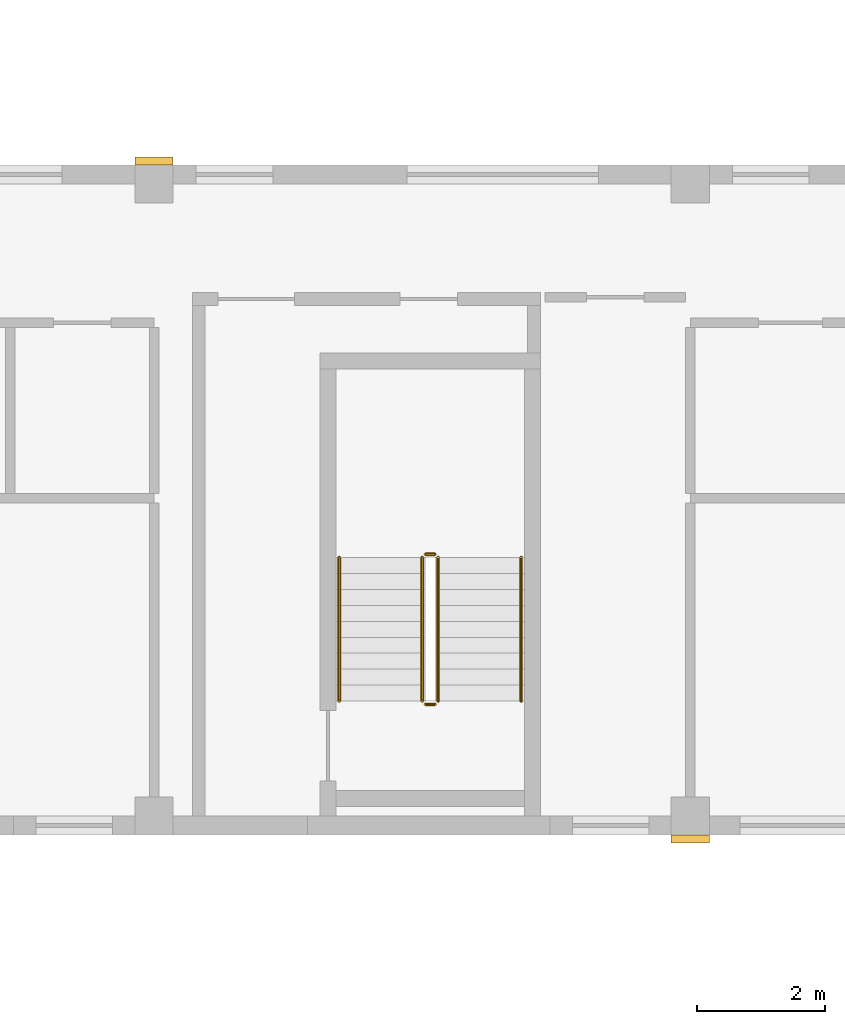
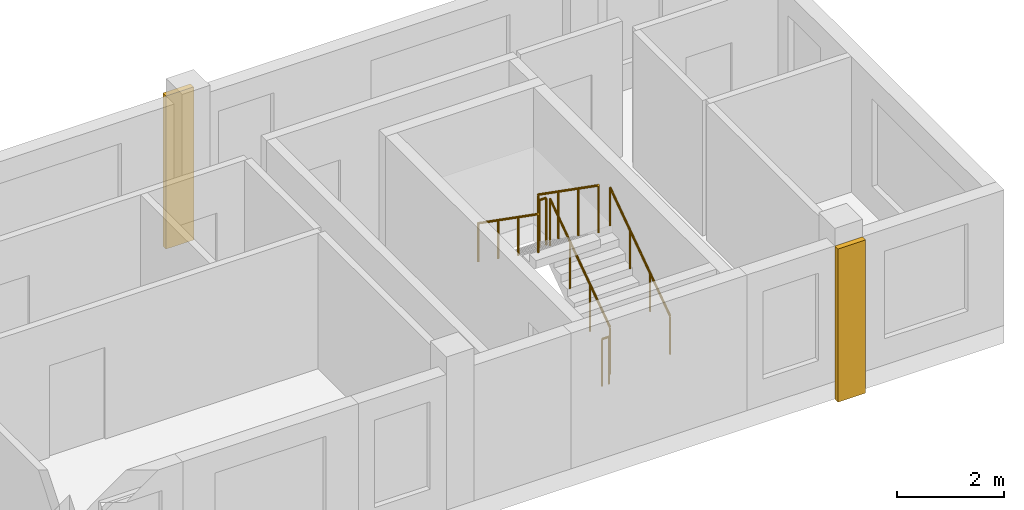
# One storey, part 9 of 10: 6 railings, 2 coverings.
"""IFC4 building model written with IfcOpenShell, lengths in metres."""

import ifcopenshell
import ifcopenshell.guid

model = None  # the IFC model being written
_history = None  # IfcOwnerHistory: only IFC2X3 demands one
_inside = {}  # id of a spatial element -> (the spatial element, [elements in it])
_under = {}  # id of a project, library or spatial element -> (it, [spatial elements below it])
_declared = {}  # id of a project -> (the project, [libraries it declares])
_typed = {}  # id of a type object -> (the type object, [elements of that type])
_made_of = {}  # id of a material, layer set ... -> (it, [elements and type objects made of it])


def new_model(schema):
    """Start an empty IFC model of exactly this schema.

    Asked for "IFC4X3", IfcOpenShell would pick the latest addendum, in which some entities
    have other attributes; the version numbers below select the first issue.
    IFC2X3 requires an IfcOwnerHistory on every rooted entity: one is made here for all.
    """
    global model, _history
    if schema == "IFC4X3":
        model = ifcopenshell.file(schema_version=(4, 3, 0, 0))
    else:
        model = ifcopenshell.file(schema=schema)
    _inside.clear()
    _under.clear()
    _declared.clear()
    _typed.clear()
    _made_of.clear()
    _history = None
    if model.schema == "IFC2X3":
        org = make("IfcOrganization", Name="unknown")
        user = make(
            "IfcPersonAndOrganization",
            ThePerson=make("IfcPerson", FamilyName="unknown"),
            TheOrganization=org,
        )
        app = make(
            "IfcApplication",
            ApplicationDeveloper=org,
            Version="unknown",
            ApplicationFullName="unknown",
            ApplicationIdentifier="unknown",
        )
        _history = make(
            "IfcOwnerHistory",
            OwningUser=user,
            OwningApplication=app,
            ChangeAction="ADDED",
            CreationDate=0,
        )
    return model


def make(cls, **values):
    """One entity of the class cls with the attributes given. An attribute that is None is left unset."""
    return model.create_entity(
        cls, **{name: value for name, value in values.items() if value is not None}
    )


def rooted(cls, **values):
    """An entity with a GlobalId (a new one), such as an element, a storey or a relation."""
    return make(cls, GlobalId=ifcopenshell.guid.new(), OwnerHistory=_history, **values)


def si_unit(unit_type, name, prefix=None):
    """IfcSIUnit, for example si_unit("LENGTHUNIT", "METRE", prefix="MILLI")."""
    return make("IfcSIUnit", UnitType=unit_type, Prefix=prefix, Name=name)


def assignment(units):
    """IfcUnitAssignment: the units of a project."""
    return None if units is None else make("IfcUnitAssignment", Units=units)


def point(xyz):
    """IfcCartesianPoint."""
    return None if xyz is None else make("IfcCartesianPoint", Coordinates=xyz)


def direction(xyz):
    """IfcDirection."""
    return None if xyz is None else make("IfcDirection", DirectionRatios=xyz)


def frame(location, z_axis=None, x_axis=None):
    """IfcAxis2Placement3D, a coordinate frame: its origin and axes. An axis left out is left unset."""
    return make(
        "IfcAxis2Placement3D",
        Location=point(location),
        Axis=direction(z_axis),
        RefDirection=direction(x_axis),
    )


def frame_2d(location, x_axis=None):
    """IfcAxis2Placement2D, a coordinate frame in the plane: its origin and x axis."""
    return make(
        "IfcAxis2Placement2D", Location=point(location), RefDirection=direction(x_axis)
    )


def origin():
    """The frame at (0, 0, 0) with its axes left unset."""
    return frame((0.0, 0.0, 0.0))


def origin_2d():
    """The frame at (0, 0) in the plane with its x axis left unset."""
    return frame_2d((0.0, 0.0))


def place(relative_to, where):
    """IfcLocalPlacement: puts the frame where relative to a parent placement (None: the world)."""
    return make(
        "IfcLocalPlacement", PlacementRelTo=relative_to, RelativePlacement=where
    )


def context(
    kind, dimensions, precision=None, world=None, true_north=None, identifier=None
):
    """IfcGeometricRepresentationContext, for example the 3D "Model" context."""
    return make(
        "IfcGeometricRepresentationContext",
        ContextIdentifier=identifier,
        ContextType=kind,
        CoordinateSpaceDimension=dimensions,
        Precision=precision,
        WorldCoordinateSystem=world,
        TrueNorth=true_north,
    )


def subcontext(parent, identifier, kind, view, scale=None):
    """IfcGeometricRepresentationSubContext, for example "Body" below "Model"."""
    return make(
        "IfcGeometricRepresentationSubContext",
        ContextIdentifier=identifier,
        ContextType=kind,
        ParentContext=parent,
        TargetScale=scale,
        TargetView=view,
    )


def project(units=None, contexts=None):
    """IfcProject with its units and contexts."""
    return rooted(
        "IfcProject",
        Name="project",
        RepresentationContexts=contexts,
        UnitsInContext=assignment(units),
    )


def spatial(cls, under=None, at=None, **own):
    """A site, building, storey or space (cls), placed at a placement, below another one or the project."""
    s = rooted(cls, ObjectPlacement=at, **own)
    if under is not None:
        _under.setdefault(under.id(), (under, []))[1].append(s)
    return s


def profile(cls, at=None, kind="AREA", **sizes):
    """A parametric profile (cls). Its sizes go by their IFC names, for example OverallWidth=200.0."""
    return make(cls, ProfileType=kind, Position=at, **sizes)


def rectangle(**sizes):
    """IfcRectangleProfileDef."""
    return profile("IfcRectangleProfileDef", **sizes)


def circle(**sizes):
    """IfcCircleProfileDef."""
    return profile("IfcCircleProfileDef", **sizes)


def extrude(swept, where, along, depth):
    """IfcExtrudedAreaSolid: the profile swept, set in the frame where, extruded along a direction by depth."""
    return make(
        "IfcExtrudedAreaSolid",
        SweptArea=swept,
        Position=where,
        ExtrudedDirection=direction(along),
        Depth=depth,
    )


def shape(context_of_items, identifier, shape_type, items):
    """IfcShapeRepresentation: the items that make up one representation, for example the "Body"."""
    return make(
        "IfcShapeRepresentation",
        ContextOfItems=context_of_items,
        RepresentationIdentifier=identifier,
        RepresentationType=shape_type,
        Items=items,
    )


def source(mapping_origin, context_of_items, identifier, shape_type, items):
    """IfcRepresentationMap: a shape defined once, which mapped items show again and again."""
    return make(
        "IfcRepresentationMap",
        MappingOrigin=mapping_origin,
        MappedRepresentation=shape(context_of_items, identifier, shape_type, items),
    )


def transform(
    local_origin,
    x_axis=None,
    y_axis=None,
    z_axis=None,
    scale=None,
    scale2=None,
    scale3=None,
    uniform=True,
):
    """IfcCartesianTransformationOperator3D, or its non-uniform kind. x_axis, y_axis, z_axis: its Axis1, 2, 3."""
    if uniform:
        return make(
            "IfcCartesianTransformationOperator3D",
            Axis1=direction(x_axis),
            Axis2=direction(y_axis),
            LocalOrigin=point(local_origin),
            Scale=scale,
            Axis3=direction(z_axis),
        )
    return make(
        "IfcCartesianTransformationOperator3DnonUniform",
        Axis1=direction(x_axis),
        Axis2=direction(y_axis),
        LocalOrigin=point(local_origin),
        Scale=scale,
        Axis3=direction(z_axis),
        Scale2=scale2,
        Scale3=scale3,
    )


def mapped(mapping_source, mapping_target):
    """IfcMappedItem: shows the shape of a source again, moved by a transform."""
    return make(
        "IfcMappedItem", MappingSource=mapping_source, MappingTarget=mapping_target
    )


def material(Name=None, Category=None):
    """IfcMaterial."""
    return make("IfcMaterial", Name=Name, Category=Category)


def made_of(thing, what):
    """Note that an element or type object is made of a material, layer set ...; save() writes the relation."""
    if what is not None:
        _made_of.setdefault(what.id(), (what, []))[1].append(thing)
    return thing


def type_object(cls, material=None, **own):
    """A type object (cls), such as IfcWallType, which elements share."""
    return made_of(rooted(cls, **own), material)


def element(
    cls,
    number,
    at=None,
    inside=None,
    cuts=None,
    type_object=None,
    material=None,
    context=None,
    identifier="Body",
    shape_type=None,
    held_by="IfcProductDefinitionShape",
    body=None,
    shapes=None,
    **own,
):
    """One element of the class cls, such as IfcWall. Its Tag is "e" and its number.

    at: its placement. inside: the storey or other place that contains it. cuts: it is an
    opening in that element (IfcRelVoidsElement). A single representation is given by context,
    identifier, shape_type and body (its items); several are given by shapes. held_by: the class
    of the entity that holds the representations. save() writes the other relations.
    """
    e = rooted(cls, Tag="e%d" % number, ObjectPlacement=at, **own)
    if body is not None:
        shapes = [shape(context, identifier, shape_type, body)]
    if shapes is not None:
        e.Representation = make(held_by, Representations=shapes)
    if inside is not None:
        _inside.setdefault(inside.id(), (inside, []))[1].append(e)
    if cuts is not None:
        rooted(
            "IfcRelVoidsElement", RelatingBuildingElement=cuts, RelatedOpeningElement=e
        )
    if type_object is not None:
        _typed.setdefault(type_object.id(), (type_object, []))[1].append(e)
    return made_of(e, material)


def aggregate(whole, parts):
    """IfcRelAggregates: a whole, such as a stair, and the parts it consists of."""
    return rooted("IfcRelAggregates", RelatingObject=whole, RelatedObjects=parts)


def save(model, path):
    """Write the relations noted so far, then the file.

    IfcRelAggregates (storeys below a building ...), IfcRelContainedInSpatialStructure (elements
    in a storey), IfcRelDefinesByType, IfcRelAssociatesMaterial and IfcRelDeclares: one each for
    every whole, place, type object, material and project.
    """
    for whole, parts in _under.values():
        aggregate(whole, parts)
    for where, things in _inside.values():
        rooted(
            "IfcRelContainedInSpatialStructure",
            RelatedElements=things,
            RelatingStructure=where,
        )
    for kind, things in _typed.values():
        rooted("IfcRelDefinesByType", RelatedObjects=things, RelatingType=kind)
    for what, things in _made_of.values():
        rooted("IfcRelAssociatesMaterial", RelatedObjects=things, RelatingMaterial=what)
    for by, libraries in _declared.values():
        rooted("IfcRelDeclares", RelatingContext=by, RelatedDefinitions=libraries)
    model.write(path)


model = new_model("IFC4")

# Units and contexts
model_context = context("Model", 3, precision=1e-05, world=origin(), true_north=direction((0.0, 1.0)))
body_context = subcontext(model_context, "Body", "Model", "MODEL_VIEW")
ifc_project = project(units=[si_unit("LENGTHUNIT", "METRE"), si_unit("AREAUNIT", "SQUARE_METRE"), si_unit("VOLUMEUNIT", "CUBIC_METRE"), si_unit("PLANEANGLEUNIT", "RADIAN"), si_unit("MASSUNIT", "GRAM", prefix="KILO")], contexts=[model_context])

# Site, building, storey
site_placement = place(None, origin())
site = spatial("IfcSite", under=ifc_project, at=site_placement, CompositionType="ELEMENT")
building_placement = place(site_placement, origin())
building = spatial("IfcBuilding", under=site, at=building_placement, Name="Aurelian Terraces", CompositionType="ELEMENT")
storey_placement = place(building_placement, frame((0.0, 0.0, 326.5)))
storey = spatial("IfcBuildingStorey", under=building, at=storey_placement, Name="L76", CompositionType="ELEMENT", Elevation=326.5)

# Coverings
ifc_material_1 = material(Name="Terracotta rainscreen cladding relief", Category="masonry")
covering_type = type_object("IfcCoveringType", Name="BAGUETTE-TC", PredefinedType="CLADDING", material=ifc_material_1)
shared_shape_1 = source(origin(), body_context, "Body", "SweptSolid", [
    extrude(rectangle(XDim=0.6, YDim=0.12, at=origin_2d()), origin(), (0.0, 0.0, 1.0), 3.5),
])
for number, where, z_axis, x_axis, name in (
    (1, (46.2, -0.06, -0.4), (0.0, 0.0, 1.0), (1.0, 0.0, 0.0), "BAGUETTE pier L76 3"),
    (2, (37.8, 10.56, -0.4), (0.0, 0.0, 1.0), (1.0, 0.0, 0.0), "BAGUETTE pier L76 4"),
):
    element("IfcCovering", number, at=place(storey_placement, frame(where, z_axis=z_axis, x_axis=x_axis)), inside=storey, type_object=covering_type, Name=name, PredefinedType="CLADDING", context=body_context, shape_type="MappedRepresentation", body=[
        mapped(shared_shape_1, transform((0.0, 0.0, 0.0), scale=1.0)),
    ])

# Railings
ifc_material_2 = material(Name="Stainless steel", Category="steel")
railing_type_1 = type_object("IfcRailingType", Name="Stair guard 1100", PredefinedType="GUARDRAIL", material=ifc_material_2)
shared_shape_2 = source(origin(), body_context, "Body", "SweptSolid", [
    extrude(circle(Radius=0.024, at=origin_2d()), frame((0.0, 0.0, 1.076), z_axis=(-1.0, 0.0, 0.0), x_axis=(0.0, -1.0, 0.0)), (0.0, 0.0, 1.0), 0.15),
    extrude(circle(Radius=0.021, at=origin_2d()), origin(), (0.0, 0.0, 1.0), 1.052),
    extrude(circle(Radius=0.021, at=origin_2d()), frame((-0.15, 0.0, 0.0)), (0.0, 0.0, 1.0), 1.052),
])
for number, where, name in (
    (3, (42.2, 4.4, 1.75), "L76 S2 stair guard 2"),
    (4, (42.2, 2.05, 0.0), "L76 S2 stair guard 4"),
):
    element("IfcRailing", number, at=place(storey_placement, frame(where)), inside=storey, type_object=railing_type_1, Name=name, PredefinedType="GUARDRAIL", context=body_context, shape_type="MappedRepresentation", body=[
        mapped(shared_shape_2, transform((0.0, 0.0, 0.0), scale=1.0)),
    ])
shared_shape_3 = source(origin(), body_context, "Body", "SweptSolid", [
    extrude(circle(Radius=0.024, at=origin_2d()), frame((0.0, 0.0, 1.076), z_axis=(0.0, 0.819231920519, 0.573462344363), x_axis=(-1.0, 0.0, 0.0)), (0.0, 0.0, 1.0), 2.7465),
    extrude(circle(Radius=0.021, at=origin_2d()), origin(), (0.0, 0.0, 1.0), 1.052),
    extrude(circle(Radius=0.021, at=origin_2d()), frame((0.0, 0.75, 0.525)), (0.0, 0.0, 1.0), 1.052),
    extrude(circle(Radius=0.021, at=origin_2d()), frame((0.0, 1.5, 1.05)), (0.0, 0.0, 1.0), 1.052),
    extrude(circle(Radius=0.021, at=origin_2d()), frame((0.0, 2.25, 1.575)), (0.0, 0.0, 1.0), 1.052),
])
railing_1_placement = place(storey_placement, frame((42.25, 2.1, 0.175)))
element("IfcRailing", 5, at=railing_1_placement, inside=storey, type_object=railing_type_1, Name="L76 S2 stair guard 1", PredefinedType="GUARDRAIL", context=body_context, shape_type="MappedRepresentation", body=[
    mapped(shared_shape_3, transform((0.0, 0.0, 0.0), scale=1.0)),
])
shared_shape_4 = source(origin(), body_context, "Body", "SweptSolid", [
    extrude(circle(Radius=0.024, at=origin_2d()), frame((0.0, 0.0, 1.076), z_axis=(0.0, -0.819231920519, 0.573462344363), x_axis=(1.0, 0.0, 0.0)), (0.0, 0.0, 1.0), 2.7465),
    extrude(circle(Radius=0.021, at=origin_2d()), origin(), (0.0, 0.0, 1.0), 1.052),
    extrude(circle(Radius=0.021, at=origin_2d()), frame((0.0, -0.75, 0.525)), (0.0, 0.0, 1.0), 1.052),
    extrude(circle(Radius=0.021, at=origin_2d()), frame((0.0, -1.5, 1.05)), (0.0, 0.0, 1.0), 1.052),
    extrude(circle(Radius=0.021, at=origin_2d()), frame((0.0, -2.25, 1.575)), (0.0, 0.0, 1.0), 1.052),
])
railing_2_placement = place(storey_placement, frame((42.0, 4.35, 1.925)))
element("IfcRailing", 6, at=railing_2_placement, inside=storey, type_object=railing_type_1, Name="L76 S2 stair guard 3", PredefinedType="GUARDRAIL", context=body_context, shape_type="MappedRepresentation", body=[
    mapped(shared_shape_4, transform((0.0, 0.0, 0.0), scale=1.0)),
])
railing_type_2 = type_object("IfcRailingType", Name="Stair handrail", PredefinedType="HANDRAIL", material=ifc_material_2)
shared_shape_5 = source(origin(), body_context, "Body", "SweptSolid", [
    extrude(circle(Radius=0.024, at=origin_2d()), frame((0.0, 0.0, 0.876), z_axis=(0.0, 0.819231920519, 0.573462344363), x_axis=(-1.0, 0.0, 0.0)), (0.0, 0.0, 1.0), 2.7465),
    extrude(circle(Radius=0.021, at=origin_2d()), origin(), (0.0, 0.0, 1.0), 0.852),
    extrude(circle(Radius=0.021, at=origin_2d()), frame((0.0, 0.75, 0.525)), (0.0, 0.0, 1.0), 0.852),
    extrude(circle(Radius=0.021, at=origin_2d()), frame((0.0, 1.5, 1.05)), (0.0, 0.0, 1.0), 0.852),
    extrude(circle(Radius=0.021, at=origin_2d()), frame((0.0, 2.25, 1.575)), (0.0, 0.0, 1.0), 0.852),
])
railing_3_placement = place(storey_placement, frame((43.55, 2.1, 0.175)))
element("IfcRailing", 7, at=railing_3_placement, inside=storey, type_object=railing_type_2, Name="L76 S2 stair handrail 1", PredefinedType="HANDRAIL", context=body_context, shape_type="MappedRepresentation", body=[
    mapped(shared_shape_5, transform((0.0, 0.0, 0.0), scale=1.0)),
])
shared_shape_6 = source(origin(), body_context, "Body", "SweptSolid", [
    extrude(circle(Radius=0.024, at=origin_2d()), frame((0.0, 0.0, 0.876), z_axis=(0.0, -0.819231920519, 0.573462344363), x_axis=(1.0, 0.0, 0.0)), (0.0, 0.0, 1.0), 2.7465),
    extrude(circle(Radius=0.021, at=origin_2d()), origin(), (0.0, 0.0, 1.0), 0.852),
    extrude(circle(Radius=0.021, at=origin_2d()), frame((0.0, -0.75, 0.525)), (0.0, 0.0, 1.0), 0.852),
    extrude(circle(Radius=0.021, at=origin_2d()), frame((0.0, -1.5, 1.05)), (0.0, 0.0, 1.0), 0.852),
    extrude(circle(Radius=0.021, at=origin_2d()), frame((0.0, -2.25, 1.575)), (0.0, 0.0, 1.0), 0.852),
])
railing_4_placement = place(storey_placement, frame((40.7, 4.35, 1.925)))
element("IfcRailing", 8, at=railing_4_placement, inside=storey, type_object=railing_type_2, Name="L76 S2 stair handrail 2", PredefinedType="HANDRAIL", context=body_context, shape_type="MappedRepresentation", body=[
    mapped(shared_shape_6, transform((0.0, 0.0, 0.0), scale=1.0)),
])

save(model, "model.ifc")
